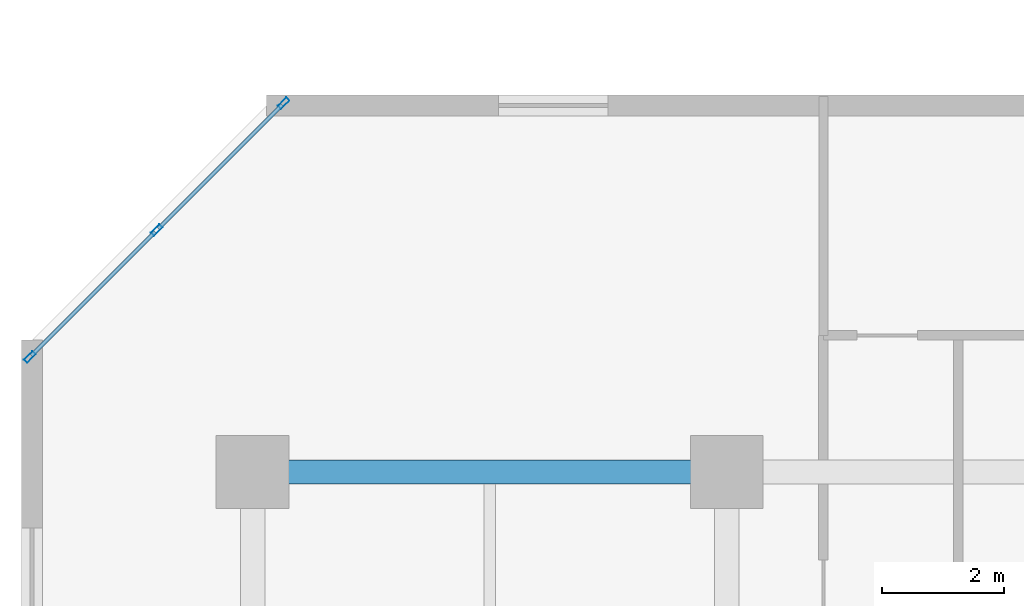
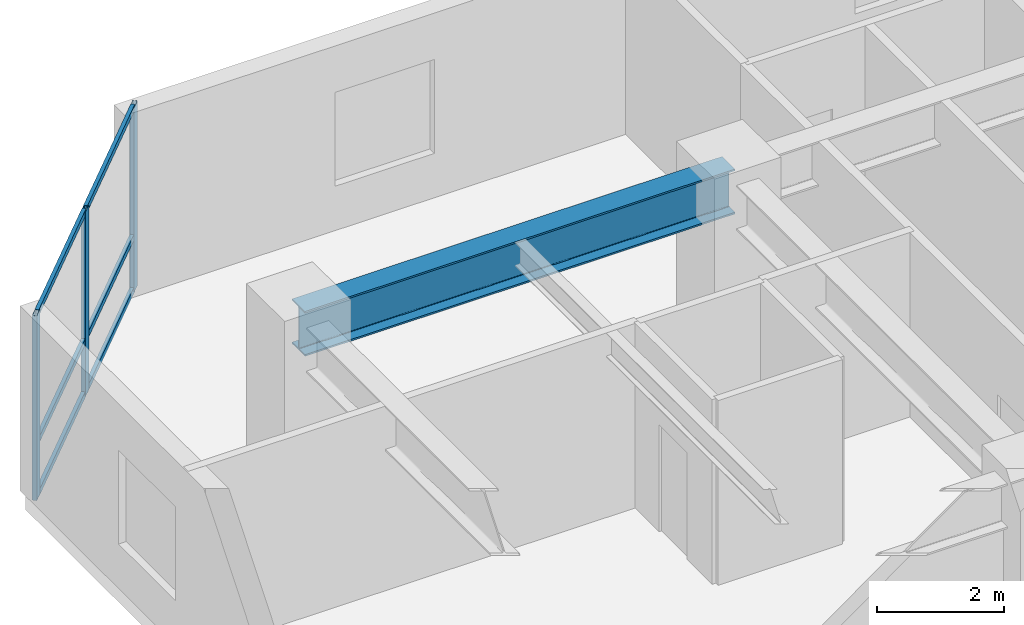
# One storey, part 3 of 11: 9 members, 1 beam, 1 element without a shape of its own.
"""IFC4 building model written with IfcOpenShell, lengths in metres."""

from ifc_helpers import new_model, si_unit, direction, frame, origin, origin_2d, place, context, subcontext, project, spatial, hollow_rectangle, i_section, extrude, material, layer, layer_set, material_profile, profile_set, type_object, element, aggregate, save


model = new_model("IFC4")

# Units and contexts
model_context = context("Model", 3, precision=1e-05, world=origin(), true_north=direction((0.0, 1.0)))
body_context = subcontext(model_context, "Body", "Model", "MODEL_VIEW")
ifc_project = project(units=[si_unit("LENGTHUNIT", "METRE"), si_unit("AREAUNIT", "SQUARE_METRE"), si_unit("VOLUMEUNIT", "CUBIC_METRE"), si_unit("PLANEANGLEUNIT", "RADIAN"), si_unit("MASSUNIT", "GRAM", prefix="KILO")], contexts=[model_context])

# Site, building, storey
site_placement = place(None, origin())
site = spatial("IfcSite", under=ifc_project, at=site_placement, CompositionType="ELEMENT")
building_placement = place(site_placement, origin())
building = spatial("IfcBuilding", under=site, at=building_placement, Name="Kestravale Grand Hotel", CompositionType="ELEMENT")
storey_placement = place(building_placement, frame((0.0, 0.0, 107.0)))
storey = spatial("IfcBuildingStorey", under=building, at=storey_placement, Name="L26", CompositionType="ELEMENT", Elevation=107.0)

# Beam
ifc_material_1 = material(Name="Steel ASTM A992 Grade 50", Category="steel")
ifc_material_profile_1 = material_profile(ifc_material_1, i_section(OverallWidth=0.40087890625, OverallDepth=0.861083984375, WebThickness=0.019775390625, FlangeThickness=0.032470703125, FilletRadius=0.0234375, at=origin_2d()))
ifc_profile_set_1 = profile_set([ifc_material_profile_1], Name="Steel ASTM A992 Grade 50")
beam_type = type_object("IfcBeamType", Name="B-GRD-W33", PredefinedType="BEAM", material=ifc_profile_set_1)
beam_placement = place(storey_placement, frame((7.800048828125, 38.39990234375, 3.109619140625), z_axis=(1.0, 0.0, 0.0), x_axis=(0.0, 1.0, 0.0)))
element("IfcBeam", 1, at=beam_placement, inside=storey, type_object=beam_type, Name="L26 girder F:2-3", PredefinedType="BEAM", context=body_context, shape_type="SweptSolid", body=[
    extrude(i_section(OverallWidth=0.40087890625, OverallDepth=0.861083984375, WebThickness=0.019775390625, FlangeThickness=0.032470703125, FilletRadius=0.0234375, at=origin_2d()), origin(), (0.0, 0.0, 1.0), 7.800048828125),
])

# Curtain wall, members
ifc_material_2 = material(Name="Thermally broken champagne-bronze aluminium and low-E glazing", Category="aluminium")
ifc_layer = layer(ifc_material_2, 0.199951171875)
ifc_layer_set = layer_set([ifc_layer], Name="CW-Z2")
curtain_wall_type = type_object("IfcCurtainWallType", Name="CW-Z2", PredefinedType="NOTDEFINED", material=ifc_layer_set)
curtain_wall_placement = place(storey_placement, origin())
curtain_wall = element("IfcCurtainWall", 2, at=curtain_wall_placement, inside=storey, type_object=curtain_wall_type, Name="L26 unitised curtain wall 18", PredefinedType="NOTDEFINED")
ifc_material_3 = material(Name="Aluminium 6063-T6 anodised", Category="aluminium")
ifc_material_profile_2 = material_profile(ifc_material_3, hollow_rectangle(XDim=0.074951171875, YDim=0.199951171875, WallThickness=0.00390625, at=origin_2d()))
ifc_profile_set_2 = profile_set([ifc_material_profile_2], Name="Aluminium 6063-T6 anodised")
member_type_1 = type_object("IfcMemberType", Name="CW-MUL-200", PredefinedType="MULLION", material=ifc_profile_set_2)
member_1_placement = place(storey_placement, frame((8.307861328125, 44.467529296875, 0.0), z_axis=(0.0, 0.0, 1.0), x_axis=(0.707106781187, -0.707106781187, 0.0)))
member_1 = element("IfcMember", 3, at=member_1_placement, type_object=member_type_1, Name="CW-Z2 mullion 1", PredefinedType="MULLION", context=body_context, shape_type="SweptSolid", body=[
    extrude(hollow_rectangle(XDim=0.074951171875, YDim=0.199951171875, WallThickness=0.00390625, at=origin_2d()), origin(), (0.0, 0.0, 1.0), 3.5400390625),
])
member_2_placement = place(storey_placement, frame((6.22021484375, 42.3798828125, 0.0), z_axis=(0.0, 0.0, 1.0), x_axis=(0.707106781187, -0.707106781187, 0.0)))
member_2 = element("IfcMember", 4, at=member_2_placement, type_object=member_type_1, Name="CW-Z2 mullion 2", PredefinedType="MULLION", context=body_context, shape_type="SweptSolid", body=[
    extrude(hollow_rectangle(XDim=0.074951171875, YDim=0.199951171875, WallThickness=0.00390625, at=origin_2d()), origin(), (0.0, 0.0, 1.0), 3.5400390625),
])
member_3_placement = place(storey_placement, frame((4.132568359375, 40.292236328125, 0.0), z_axis=(0.0, 0.0, 1.0), x_axis=(0.707106781187, -0.707106781187, 0.0)))
member_3 = element("IfcMember", 5, at=member_3_placement, type_object=member_type_1, Name="CW-Z2 mullion 3", PredefinedType="MULLION", context=body_context, shape_type="SweptSolid", body=[
    extrude(hollow_rectangle(XDim=0.074951171875, YDim=0.199951171875, WallThickness=0.00390625, at=origin_2d()), origin(), (0.0, 0.0, 1.0), 3.5400390625),
])
ifc_material_4 = material(Name="Aluminium 6063-T6 anodised", Category="aluminium")
ifc_material_profile_3 = material_profile(ifc_material_4, hollow_rectangle(XDim=0.06494140625, YDim=0.114990234375, WallThickness=0.003173828125, at=origin_2d()))
ifc_profile_set_3 = profile_set([ifc_material_profile_3], Name="Aluminium 6063-T6 anodised")
member_type_2 = type_object("IfcMemberType", Name="CW-TRN-115", PredefinedType="USERDEFINED", material=ifc_profile_set_3)
member_4_placement = place(storey_placement, frame((8.28125, 44.44091796875, 0.032470703125), z_axis=(-0.707064354356, -0.707149205472, 0.0), x_axis=(0.707149205472, -0.707064354356, 0.0)))
member_4 = element("IfcMember", 6, at=member_4_placement, type_object=member_type_2, Name="CW-Z2 transom 1.1", ObjectType="TRANSOM", PredefinedType="USERDEFINED", context=body_context, shape_type="SweptSolid", body=[
    extrude(hollow_rectangle(XDim=0.06494140625, YDim=0.114990234375, WallThickness=0.003173828125, at=origin_2d()), origin(), (0.0, 0.0, 1.0), 2.877197265625),
])
member_5_placement = place(storey_placement, frame((8.28125, 44.44091796875, 1.050048828125), z_axis=(-0.707064354356, -0.707149205472, 0.0), x_axis=(0.707149205472, -0.707064354356, 0.0)))
member_5 = element("IfcMember", 7, at=member_5_placement, type_object=member_type_2, Name="CW-Z2 transom 1.2", ObjectType="TRANSOM", PredefinedType="USERDEFINED", context=body_context, shape_type="SweptSolid", body=[
    extrude(hollow_rectangle(XDim=0.06494140625, YDim=0.114990234375, WallThickness=0.003173828125, at=origin_2d()), origin(), (0.0, 0.0, 1.0), 2.877197265625),
])
member_6_placement = place(storey_placement, frame((8.28125, 44.44091796875, 3.507568359375), z_axis=(-0.707064354356, -0.707149205472, 0.0), x_axis=(0.707149205472, -0.707064354356, 0.0)))
member_6 = element("IfcMember", 8, at=member_6_placement, type_object=member_type_2, Name="CW-Z2 transom 1.3", ObjectType="TRANSOM", PredefinedType="USERDEFINED", context=body_context, shape_type="SweptSolid", body=[
    extrude(hollow_rectangle(XDim=0.06494140625, YDim=0.114990234375, WallThickness=0.003173828125, at=origin_2d()), origin(), (0.0, 0.0, 1.0), 2.877197265625),
])
member_7_placement = place(storey_placement, frame((6.193603515625, 42.353271484375, 0.032470703125), z_axis=(-0.707106781187, -0.707106781187, 0.0), x_axis=(0.707106781187, -0.707106781187, 0.0)))
member_7 = element("IfcMember", 9, at=member_7_placement, type_object=member_type_2, Name="CW-Z2 transom 2.1", ObjectType="TRANSOM", PredefinedType="USERDEFINED", context=body_context, shape_type="SweptSolid", body=[
    extrude(hollow_rectangle(XDim=0.06494140625, YDim=0.114990234375, WallThickness=0.003173828125, at=origin_2d()), origin(), (0.0, 0.0, 1.0), 2.87744140625),
])
member_8_placement = place(storey_placement, frame((6.193603515625, 42.353271484375, 1.050048828125), z_axis=(-0.707106781187, -0.707106781187, 0.0), x_axis=(0.707106781187, -0.707106781187, 0.0)))
member_8 = element("IfcMember", 10, at=member_8_placement, type_object=member_type_2, Name="CW-Z2 transom 2.2", ObjectType="TRANSOM", PredefinedType="USERDEFINED", context=body_context, shape_type="SweptSolid", body=[
    extrude(hollow_rectangle(XDim=0.06494140625, YDim=0.114990234375, WallThickness=0.003173828125, at=origin_2d()), origin(), (0.0, 0.0, 1.0), 2.87744140625),
])
member_9_placement = place(storey_placement, frame((6.193603515625, 42.353271484375, 3.507568359375), z_axis=(-0.707106781187, -0.707106781187, 0.0), x_axis=(0.707106781187, -0.707106781187, 0.0)))
member_9 = element("IfcMember", 11, at=member_9_placement, type_object=member_type_2, Name="CW-Z2 transom 2.3", ObjectType="TRANSOM", PredefinedType="USERDEFINED", context=body_context, shape_type="SweptSolid", body=[
    extrude(hollow_rectangle(XDim=0.06494140625, YDim=0.114990234375, WallThickness=0.003173828125, at=origin_2d()), origin(), (0.0, 0.0, 1.0), 2.87744140625),
])
aggregate(curtain_wall, [member_1, member_2, member_3, member_4, member_5, member_6, member_7, member_8, member_9])

save(model, "model.ifc")
